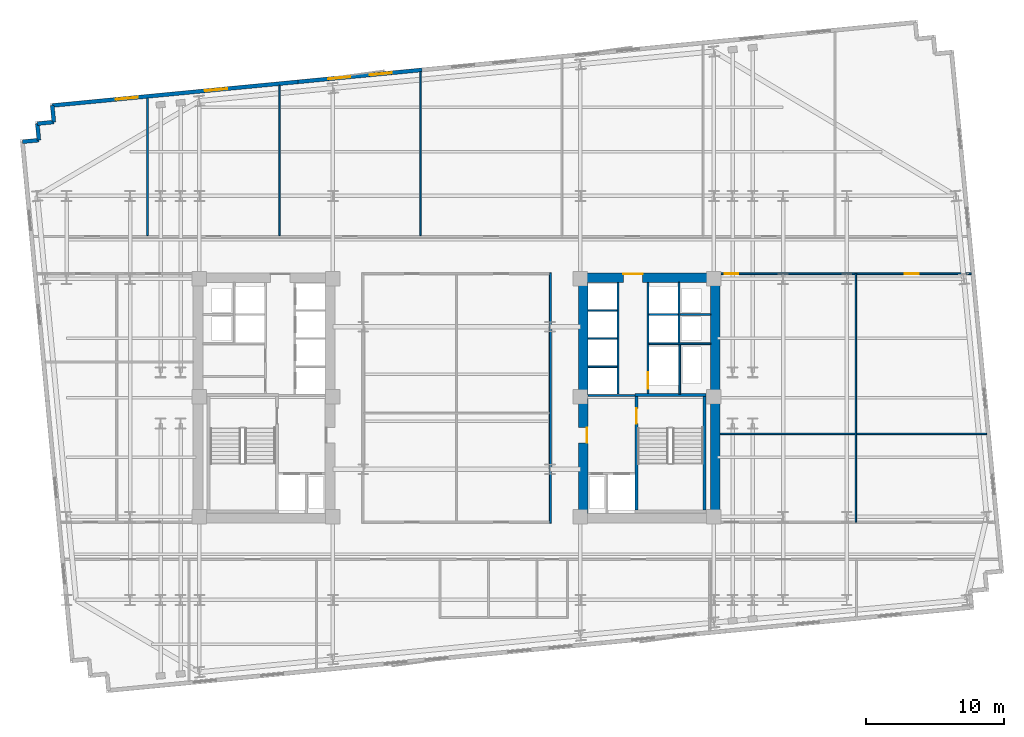
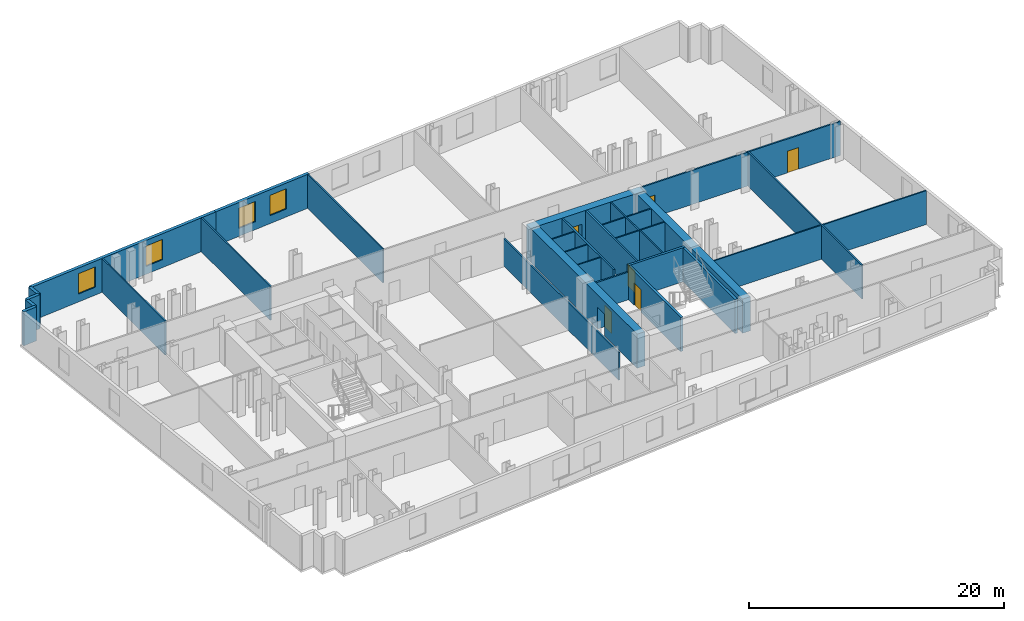
# One storey, part 7 of 11: 30 walls, 6 doors, 4 windows, 10 openings.
"""IFC4 building model written with IfcOpenShell, lengths in metres."""

from ifc_helpers import new_model, si_unit, direction, frame, frame_2d, origin, place, context, subcontext, project, spatial, rectangle, extrude, material, layer, layer_set, type_object, element, fill, save


model = new_model("IFC4")

# Units and contexts
model_context = context("Model", 3, precision=1e-05, world=origin(), true_north=direction((0.0, 1.0)))
body_context = subcontext(model_context, "Body", "Model", "MODEL_VIEW")
ifc_project = project(units=[si_unit("LENGTHUNIT", "METRE"), si_unit("AREAUNIT", "SQUARE_METRE"), si_unit("VOLUMEUNIT", "CUBIC_METRE"), si_unit("PLANEANGLEUNIT", "RADIAN"), si_unit("MASSUNIT", "GRAM", prefix="KILO")], contexts=[model_context])

# Site, building, storey
site_placement = place(None, origin())
site = spatial("IfcSite", under=ifc_project, at=site_placement, CompositionType="ELEMENT")
building_placement = place(site_placement, origin())
building = spatial("IfcBuilding", under=site, at=building_placement, Name="Velakula Bourse", CompositionType="ELEMENT")
storey_placement = place(building_placement, frame((0.0, 0.0, 105.25)))
storey = spatial("IfcBuildingStorey", under=building, at=storey_placement, Name="L28", CompositionType="ELEMENT", Elevation=105.25)

# Wall, opening, door
ifc_material_1 = material(Name="Concrete M50 (fck 50 MPa)", Category="concrete")
ifc_layer_1 = layer(ifc_material_1, 0.2099609375, Name="Concrete M50 (fck 50 MPa)", Category="concrete")
ifc_layer_set_1 = layer_set([ifc_layer_1], Name="Concrete M50 (fck 50 MPa)")
wall_type_1 = type_object("IfcWallType", Name="WL-CORE-210", PredefinedType="SHEAR", material=ifc_layer_set_1)
wall_1_placement = place(storey_placement, frame((12.9951171875, -8.10009765625, 0.0), z_axis=(0.0, 0.0, 1.0), x_axis=(0.0, 1.0, 0.0)))
wall_1 = element("IfcWall", 1, at=wall_1_placement, inside=storey, type_object=wall_type_1, Name="L28 Core E Stairwell Shear Wall IN", PredefinedType="SHEAR", context=body_context, shape_type="SweptSolid", body=[
    extrude(rectangle(XDim=8.2001953125, YDim=0.2099609375, at=frame_2d((4.10009765625, 0.0))), origin(), (0.0, 0.0, 1.0), 3.27001953125),
])
opening_1_placement = place(wall_1_placement, frame((6.25, 0.0, 0.0)))
opening_1 = element("IfcOpeningElement", 2, at=opening_1_placement, cuts=wall_1, Name="Opening D-STE1", PredefinedType="OPENING", context=body_context, shape_type="SweptSolid", body=[
    extrude(rectangle(XDim=1.10009765625, YDim=2.14990234375, at=frame_2d((0.550048828125, 1.074951171875))), frame((0.0, 0.114990234375, 0.0), z_axis=(0.0, -1.0, 0.0), x_axis=(1.0, 0.0, 0.0)), (0.0, 0.0, 1.0), 0.22998046875),
])
ifc_material_2 = material(Name="Galvanised painted hollow steel fire door", Category="steel")
door_type_1 = type_object("IfcDoorType", Name="DR-FD120-1100x2150", OperationType="NOTDEFINED", PredefinedType="DOOR", material=ifc_material_2)
door_1_placement = place(opening_1_placement, origin())
door_1 = element("IfcDoor", 3, at=door_1_placement, inside=storey, type_object=door_type_1, Name="L28 Stair ST-E1 Fire Door", OperationType="SINGLE_SWING_RIGHT", OverallHeight=2.14990234375, OverallWidth=1.10009765625, PredefinedType="DOOR", context=body_context, shape_type="SweptSolid", body=[
    extrude(rectangle(XDim=1.10009765625, YDim=2.14990234375, at=frame_2d((0.550048828125, 1.074951171875))), frame((0.0, 0.02490234375, 0.0), z_axis=(0.0, -1.0, 0.0), x_axis=(1.0, 0.0, 0.0)), (0.0, 0.0, 1.0), 0.050048828125),
])
fill(opening_1, door_1)

# Walls
wall_2_placement = place(storey_placement, frame((17.925048828125, -8.10009765625, 0.0), z_axis=(0.0, 0.0, 1.0), x_axis=(0.0, 1.0, 0.0)))
element("IfcWall", 4, at=wall_2_placement, inside=storey, type_object=wall_type_1, Name="L28 Core E Stairwell Shear Wall OUT", PredefinedType="SHEAR", context=body_context, shape_type="SweptSolid", body=[
    extrude(rectangle(XDim=8.2001953125, YDim=0.2099609375, at=frame_2d((4.10009765625, 0.0))), origin(), (0.0, 0.0, 1.0), 3.27001953125),
])
wall_3_placement = place(storey_placement, frame((18.030029296875, 0.205078125, 0.0), z_axis=(0.0, 0.0, 1.0), x_axis=(-1.0, 0.0, 0.0)))
element("IfcWall", 5, at=wall_3_placement, inside=storey, type_object=wall_type_1, Name="L28 Core E Stairwell Shear Wall N", PredefinedType="SHEAR", context=body_context, shape_type="SweptSolid", body=[
    extrude(rectangle(XDim=5.14013671875, YDim=0.2099609375, at=frame_2d((2.570068359375, 0.0))), origin(), (0.0, 0.0, 1.0), 3.27001953125),
])

# Wall, opening, door
ifc_material_3 = material(Name="Concrete M70 (fck 70 MPa)", Category="concrete")
ifc_layer_2 = layer(ifc_material_3, 0.699951171875, Name="Concrete M70 (fck 70 MPa)", Category="concrete")
ifc_layer_set_2 = layer_set([ifc_layer_2], Name="Concrete M70 (fck 70 MPa)")
wall_type_2 = type_object("IfcWallType", Name="WL-CORE-700", PredefinedType="SHEAR", material=ifc_layer_set_2)
wall_4_placement = place(storey_placement, frame((8.800048828125, 8.699951171875, 0.0), z_axis=(0.0, 0.0, 1.0), x_axis=(1.0, 0.0, 0.0)))
wall_4 = element("IfcWall", 6, at=wall_4_placement, inside=storey, type_object=wall_type_2, Name="L28 Core E Shear Wall N", PredefinedType="SHEAR", context=body_context, shape_type="SweptSolid", body=[
    extrude(rectangle(XDim=10.25, YDim=0.699951171875, at=frame_2d((5.125, 0.0))), origin(), (0.0, 0.0, 1.0), 3.27001953125),
])
opening_2_placement = place(wall_4_placement, frame((3.25, 0.0, 0.0)))
opening_2 = element("IfcOpeningElement", 7, at=opening_2_placement, cuts=wall_4, Name="Opening D-LLE", PredefinedType="OPENING", context=body_context, shape_type="SweptSolid", body=[
    extrude(rectangle(XDim=1.39990234375, YDim=2.050048828125, at=frame_2d((0.699951171875, 1.02490234375))), frame((0.0, 0.35986328125, 0.0), z_axis=(0.0, -1.0, 0.0), x_axis=(1.0, 0.0, 0.0)), (0.0, 0.0, 1.0), 0.719970703125),
])
ifc_material_4 = material(Name="Fire-rated hardwood flush architectural door", Category="wood")
door_type_2 = type_object("IfcDoorType", Name="DR-DBL-FD60-1400", OperationType="DOUBLE_DOOR_SINGLE_SWING", PredefinedType="DOOR", material=ifc_material_4)
door_2_placement = place(opening_2_placement, origin())
door_2 = element("IfcDoor", 8, at=door_2_placement, inside=storey, type_object=door_type_2, Name="L28 Core E Lift Lobby Corridor Double Door", OperationType="DOUBLE_DOOR_SINGLE_SWING", OverallHeight=2.050048828125, OverallWidth=1.39990234375, PredefinedType="DOOR", context=body_context, shape_type="SweptSolid", body=[
    extrude(rectangle(XDim=1.39990234375, YDim=2.050048828125, at=frame_2d((0.699951171875, 1.02490234375))), frame((0.0, 0.294921875, 0.0), z_axis=(0.0, -1.0, 0.0), x_axis=(1.0, 0.0, 0.0)), (0.0, 0.0, 1.0), 0.050048828125),
])
fill(opening_2, door_2)

wall_5_placement = place(storey_placement, frame((9.14990234375, -8.35009765625, 0.0), z_axis=(0.0, 0.0, 1.0), x_axis=(0.0, 1.0, 0.0)))
wall_5 = element("IfcWall", 9, at=wall_5_placement, inside=storey, type_object=wall_type_2, Name="L28 Core E Shear Wall W", PredefinedType="SHEAR", context=body_context, shape_type="SweptSolid", body=[
    extrude(rectangle(XDim=16.7001953125, YDim=0.699951171875, at=frame_2d((8.35009765625, 0.0))), origin(), (0.0, 0.0, 1.0), 3.27001953125),
])
opening_3_placement = place(wall_5_placement, frame((5.10009765625, 0.0, 0.0)))
opening_3 = element("IfcOpeningElement", 10, at=opening_3_placement, cuts=wall_5, Name="Opening D-FLE", PredefinedType="OPENING", context=body_context, shape_type="SweptSolid", body=[
    extrude(rectangle(XDim=1.10009765625, YDim=2.080078125, at=frame_2d((0.550048828125, 1.0400390625))), frame((0.0, 0.35986328125, 0.0), z_axis=(0.0, -1.0, 0.0), x_axis=(1.0, 0.0, 0.0)), (0.0, 0.0, 1.0), 0.719970703125),
])
door_type_3 = type_object("IfcDoorType", Name="DR-FD120-1100", OperationType="NOTDEFINED", PredefinedType="DOOR", material=ifc_material_2)
door_3_placement = place(opening_3_placement, origin())
door_3 = element("IfcDoor", 11, at=door_3_placement, inside=storey, type_object=door_type_3, Name="L28 Firefighting Lobby E Corridor Fire Door", OperationType="SINGLE_SWING_RIGHT", OverallHeight=2.080078125, OverallWidth=1.10009765625, PredefinedType="DOOR", context=body_context, shape_type="SweptSolid", body=[
    extrude(rectangle(XDim=1.10009765625, YDim=2.080078125, at=frame_2d((0.550048828125, 1.0400390625))), frame((0.0, -0.2548828125, 0.0), z_axis=(0.0, -1.0, 0.0), x_axis=(1.0, 0.0, 0.0)), (0.0, 0.0, 1.0), 0.050048828125),
])
fill(opening_3, door_3)

# Wall
wall_6_placement = place(storey_placement, frame((18.699951171875, -8.35009765625, 0.0), z_axis=(0.0, 0.0, 1.0), x_axis=(0.0, 1.0, 0.0)))
element("IfcWall", 12, at=wall_6_placement, inside=storey, type_object=wall_type_2, Name="L28 Core E Shear Wall E", PredefinedType="SHEAR", context=body_context, shape_type="SweptSolid", body=[
    extrude(rectangle(XDim=16.7001953125, YDim=0.699951171875, at=frame_2d((8.35009765625, 0.0))), origin(), (0.0, 0.0, 1.0), 3.27001953125),
])

# Wall, openings, windows
ifc_material_5 = material(Name="Red kilned clay facing brick masonry", Category="masonry")
ifc_layer_3 = layer(ifc_material_5, 0.280029296875, Name="Red kilned clay facing brick masonry", Category="masonry")
ifc_layer_set_3 = layer_set([ifc_layer_3], Name="Red kilned clay facing brick masonry")
wall_type_3 = type_object("IfcWallType", Name="WL-EXT-BRK-280", PredefinedType="STANDARD", material=ifc_layer_set_3)
wall_7_placement = place(storey_placement, frame((-29.2314453125, 21.138427734375, 0.0), z_axis=(0.0, 0.0, 1.0), x_axis=(0.995395780835, 0.095850088663, 0.0)))
wall_7 = element("IfcWall", 13, at=wall_7_placement, inside=storey, type_object=wall_type_3, Name="L28 N Brick Spandrel Wall B1", PredefinedType="STANDARD", context=body_context, shape_type="SweptSolid", body=[
    extrude(rectangle(XDim=17.83984375, YDim=0.280029296875, at=frame_2d((8.919921875, 0.0))), origin(), (0.0, 0.0, 1.0), 3.25),
])
opening_4_placement = place(wall_7_placement, frame((4.5966796875, 0.0, 0.760009765625)))
opening_4 = element("IfcOpeningElement", 14, at=opening_4_placement, cuts=wall_7, Name="Opening W-02", PredefinedType="OPENING", context=body_context, shape_type="SweptSolid", body=[
    extrude(rectangle(XDim=1.60009765625, YDim=1.949951171875, at=frame_2d((0.800048828125, 0.97509765625))), frame((0.0, 0.14990234375, 0.0), z_axis=(0.0, -1.0, 0.0), x_axis=(1.0, 0.0, 0.0)), (0.0, 0.0, 1.0), 0.300048828125),
])
opening_5_placement = place(wall_7_placement, frame((11.09326171875, 0.0, 0.760009765625)))
opening_5 = element("IfcOpeningElement", 15, at=opening_5_placement, cuts=wall_7, Name="Opening W-02", PredefinedType="OPENING", context=body_context, shape_type="SweptSolid", body=[
    extrude(rectangle(XDim=1.60009765625, YDim=1.949951171875, at=frame_2d((0.800048828125, 0.97509765625))), frame((0.0, 0.14990234375, 0.0), z_axis=(0.0, -1.0, 0.0), x_axis=(1.0, 0.0, 0.0)), (0.0, 0.0, 1.0), 0.300048828125),
])
ifc_material_6 = material(Name="Double-glazed solar-control Low-E glass", Category="glass")
window_type = type_object("IfcWindowType", Name="WIN-TWR-1600x2100", PartitioningType="SINGLE_PANEL", PredefinedType="WINDOW", material=ifc_material_6)
window_1_placement = place(opening_4_placement, origin())
window_1 = element("IfcWindow", 16, at=window_1_placement, inside=storey, type_object=window_type, Name="L28 Deep-Set Recessed Window 1", OverallHeight=1.949951171875, OverallWidth=1.60009765625, PartitioningType="SINGLE_PANEL", PredefinedType="WINDOW", context=body_context, shape_type="SweptSolid", body=[
    extrude(rectangle(XDim=1.60009765625, YDim=1.949951171875, at=frame_2d((0.800048828125, 0.97509765625))), frame((0.0, 0.030029296875, 0.0), z_axis=(0.0, -1.0, 0.0), x_axis=(1.0, 0.0, 0.0)), (0.0, 0.0, 1.0), 0.06005859375),
])
fill(opening_4, window_1)
window_2_placement = place(opening_5_placement, origin())
window_2 = element("IfcWindow", 17, at=window_2_placement, inside=storey, type_object=window_type, Name="L28 Deep-Set Recessed Window 2", OverallHeight=1.949951171875, OverallWidth=1.60009765625, PartitioningType="SINGLE_PANEL", PredefinedType="WINDOW", context=body_context, shape_type="SweptSolid", body=[
    extrude(rectangle(XDim=1.60009765625, YDim=1.949951171875, at=frame_2d((0.800048828125, 0.97509765625))), frame((0.0, 0.030029296875, 0.0), z_axis=(0.0, -1.0, 0.0), x_axis=(1.0, 0.0, 0.0)), (0.0, 0.0, 1.0), 0.06005859375),
])
fill(opening_5, window_2)

wall_8_placement = place(storey_placement, frame((-11.4736328125, 22.848388671875, 0.0), z_axis=(0.0, 0.0, 1.0), x_axis=(0.995396794462, 0.09583956164, 0.0)))
wall_8 = element("IfcWall", 18, at=wall_8_placement, inside=storey, type_object=wall_type_3, Name="L28 N Brick Spandrel Wall B2", PredefinedType="STANDARD", context=body_context, shape_type="SweptSolid", body=[
    extrude(rectangle(XDim=9.0, YDim=0.280029296875, at=frame_2d((4.5, 0.0))), origin(), (0.0, 0.0, 1.0), 3.25),
])
opening_6_placement = place(wall_8_placement, frame((2.199951171875, 0.0, 0.760009765625)))
opening_6 = element("IfcOpeningElement", 19, at=opening_6_placement, cuts=wall_8, Name="Opening W-02", PredefinedType="OPENING", context=body_context, shape_type="SweptSolid", body=[
    extrude(rectangle(XDim=1.60009765625, YDim=1.949951171875, at=frame_2d((0.800048828125, 0.97509765625))), frame((0.0, 0.14990234375, 0.0), z_axis=(0.0, -1.0, 0.0), x_axis=(1.0, 0.0, 0.0)), (0.0, 0.0, 1.0), 0.300048828125),
])
opening_7_placement = place(wall_8_placement, frame((5.199951171875, 0.0, 0.760009765625)))
opening_7 = element("IfcOpeningElement", 20, at=opening_7_placement, cuts=wall_8, Name="Opening W-02", PredefinedType="OPENING", context=body_context, shape_type="SweptSolid", body=[
    extrude(rectangle(XDim=1.60009765625, YDim=1.949951171875, at=frame_2d((0.800048828125, 0.97509765625))), frame((0.0, 0.14990234375, 0.0), z_axis=(0.0, -1.0, 0.0), x_axis=(1.0, 0.0, 0.0)), (0.0, 0.0, 1.0), 0.300048828125),
])
window_3_placement = place(opening_6_placement, origin())
window_3 = element("IfcWindow", 21, at=window_3_placement, inside=storey, type_object=window_type, Name="L28 Deep-Set Recessed Window 1", OverallHeight=1.949951171875, OverallWidth=1.60009765625, PartitioningType="SINGLE_PANEL", PredefinedType="WINDOW", context=body_context, shape_type="SweptSolid", body=[
    extrude(rectangle(XDim=1.60009765625, YDim=1.949951171875, at=frame_2d((0.800048828125, 0.97509765625))), frame((0.0, 0.030029296875, 0.0), z_axis=(0.0, -1.0, 0.0), x_axis=(1.0, 0.0, 0.0)), (0.0, 0.0, 1.0), 0.06005859375),
])
fill(opening_6, window_3)
window_4_placement = place(opening_7_placement, origin())
window_4 = element("IfcWindow", 22, at=window_4_placement, inside=storey, type_object=window_type, Name="L28 Deep-Set Recessed Window 2", OverallHeight=1.949951171875, OverallWidth=1.60009765625, PartitioningType="SINGLE_PANEL", PredefinedType="WINDOW", context=body_context, shape_type="SweptSolid", body=[
    extrude(rectangle(XDim=1.60009765625, YDim=1.949951171875, at=frame_2d((0.800048828125, 0.97509765625))), frame((0.0, 0.030029296875, 0.0), z_axis=(0.0, -1.0, 0.0), x_axis=(1.0, 0.0, 0.0)), (0.0, 0.0, 1.0), 0.06005859375),
])
fill(opening_7, window_4)

# Walls
for number, where, z_axis, x_axis, name in (
    (23, (-29.2314453125, 21.138427734375, 0.0), (0.0, 0.0, 1.0), (0.095817067274, -0.995398960025, 0.0), "L28 Serrated Corner Brick Wall NW-1"),
    (24, (-29.116455078125, 19.94384765625, 0.0), (0.0, 0.0, 1.0), (-0.995398960025, -0.095817067274, 0.0), "L28 Serrated Corner Brick Wall NW-2"),
):
    element("IfcWall", number, at=place(storey_placement, frame(where, z_axis=z_axis, x_axis=x_axis)), inside=storey, type_object=wall_type_3, Name=name, PredefinedType="STANDARD", context=body_context, shape_type="SweptSolid", body=[
        extrude(rectangle(XDim=1.2001953125, YDim=0.280029296875, at=frame_2d((0.60009765625, 0.0))), origin(), (0.0, 0.0, 1.0), 3.25),
    ])
for number, where, z_axis, x_axis, name in (
    (25, (-30.31103515625, 19.828857421875, 0.0), (0.0, 0.0, 1.0), (0.095836473879, -0.995397091755, 0.0), "L28 Serrated Corner Brick Wall NW-3"),
    (26, (-30.196044921875, 18.634521484375, 0.0), (0.0, 0.0, 1.0), (-0.995397091755, -0.095836473879, 0.0), "L28 Serrated Corner Brick Wall NW-4"),
):
    element("IfcWall", number, at=place(storey_placement, frame(where, z_axis=z_axis, x_axis=x_axis)), inside=storey, type_object=wall_type_3, Name=name, PredefinedType="STANDARD", context=body_context, shape_type="SweptSolid", body=[
        extrude(rectangle(XDim=1.199951171875, YDim=0.280029296875, at=frame_2d((0.60009765625, 0.0))), origin(), (0.0, 0.0, 1.0), 3.25),
    ])
ifc_material_7 = material(Name="Fire-rated double-layer gypsum drywall partition", Category="gypsum")
ifc_layer_4 = layer(ifc_material_7, 0.1201171875, Name="Fire-rated double-layer gypsum drywall partition", Category="gypsum")
ifc_layer_set_4 = layer_set([ifc_layer_4], Name="Fire-rated double-layer gypsum drywall partition")
wall_type_4 = type_object("IfcWallType", Name="WL-PART-120", PredefinedType="STANDARD", material=ifc_layer_set_4)
for number, where, z_axis, x_axis, name in (
    (27, (9.5, 2.2548828125, 0.0), (0.0, 0.0, 1.0), (1.0, 0.0, 0.0), "L28 Interior Partition WL-CRE-L28-BDIV-0"),
    (28, (9.5, 4.284912109375, 0.0), (0.0, 0.0, 1.0), (1.0, 0.0, 0.0), "L28 Interior Partition WL-CRE-L28-BDIV-1"),
    (29, (9.5, 6.31494140625, 0.0), (0.0, 0.0, 1.0), (1.0, 0.0, 0.0), "L28 Interior Partition WL-CRE-L28-BDIV-2"),
):
    element("IfcWall", number, at=place(storey_placement, frame(where, z_axis=z_axis, x_axis=x_axis)), inside=storey, type_object=wall_type_4, Name=name, PredefinedType="STANDARD", context=body_context, shape_type="SweptSolid", body=[
        extrude(rectangle(XDim=2.10009765625, YDim=0.110107421875, at=frame_2d((1.050048828125, 0.0))), origin(), (0.0, 0.0, 1.0), 3.25),
    ])
wall_9_placement = place(storey_placement, frame((13.89990234375, 3.919921875, 0.0), z_axis=(0.0, 0.0, 1.0), x_axis=(1.0, 0.0, 0.0)))
element("IfcWall", 30, at=wall_9_placement, inside=storey, type_object=wall_type_4, Name="L28 Interior Partition WL-CRE-L28-HI-S", PredefinedType="STANDARD", context=body_context, shape_type="SweptSolid", body=[
    extrude(rectangle(XDim=4.4501953125, YDim=0.1201171875, at=frame_2d((2.22509765625, 0.0))), origin(), (0.0, 0.0, 1.0), 3.25),
])
wall_10_placement = place(storey_placement, frame((16.14990234375, 6.030029296875, 0.0), z_axis=(0.0, 0.0, 1.0), x_axis=(1.0, 0.0, 0.0)))
element("IfcWall", 31, at=wall_10_placement, inside=storey, type_object=wall_type_4, Name="L28 Interior Partition WL-CRE-L28-RIS-MID", PredefinedType="STANDARD", context=body_context, shape_type="SweptSolid", body=[
    extrude(rectangle(XDim=2.2001953125, YDim=0.1201171875, at=frame_2d((1.10009765625, 0.0))), origin(), (0.0, 0.0, 1.0), 3.25),
])
wall_11_placement = place(storey_placement, frame((16.074951171875, 3.97998046875, 0.0), z_axis=(0.0, 0.0, 1.0), x_axis=(0.0, 1.0, 0.0)))
element("IfcWall", 32, at=wall_11_placement, inside=storey, type_object=wall_type_4, Name="L28 Interior Partition WL-CRE-L28-RIS-F", PredefinedType="STANDARD", context=body_context, shape_type="SweptSolid", body=[
    extrude(rectangle(XDim=4.3701171875, YDim=0.1201171875, at=frame_2d((2.18505859375, 0.0))), origin(), (0.0, 0.0, 1.0), 3.25),
])
wall_12_placement = place(storey_placement, frame((13.89990234375, 6.030029296875, 0.0), z_axis=(0.0, 0.0, 1.0), x_axis=(1.0, 0.0, 0.0)))
element("IfcWall", 33, at=wall_12_placement, inside=storey, type_object=wall_type_4, Name="L28 Interior Partition WL-CRE-L28-HI-DIV", PredefinedType="STANDARD", context=body_context, shape_type="SweptSolid", body=[
    extrude(rectangle(XDim=2.10009765625, YDim=0.1201171875, at=frame_2d((1.050048828125, 0.0))), origin(), (0.0, 0.0, 1.0), 3.25),
])
wall_13_placement = place(storey_placement, frame((16.125, 0.27001953125, 0.0), z_axis=(0.0, 0.0, 1.0), x_axis=(0.0, 1.0, 0.0)))
element("IfcWall", 34, at=wall_13_placement, inside=storey, type_object=wall_type_4, Name="L28 Interior Partition WL-CRE-L28-SVL-E", PredefinedType="STANDARD", context=body_context, shape_type="SweptSolid", body=[
    extrude(rectangle(XDim=3.590087890625, YDim=0.1201171875, at=frame_2d((1.794921875, 0.0))), origin(), (0.0, 0.0, 1.0), 3.25),
])
wall_14_placement = place(storey_placement, frame((-22.344970703125, 11.739990234375, 0.0), z_axis=(0.0, 0.0, 1.0), x_axis=(0.0, 1.0, 0.0)))
element("IfcWall", 35, at=wall_14_placement, inside=storey, type_object=wall_type_4, Name="L28 Interior Partition WL-INT-L28-N-D1", PredefinedType="STANDARD", context=body_context, shape_type="SweptSolid", body=[
    extrude(rectangle(XDim=9.94091796875, YDim=0.1201171875, at=frame_2d((4.970458984375, 0.0))), origin(), (0.0, 0.0, 1.0), 3.25),
])
wall_15_placement = place(storey_placement, frame((-12.81591796875, 11.739990234375, 0.0), z_axis=(0.0, 0.0, 1.0), x_axis=(0.0, 1.0, 0.0)))
element("IfcWall", 36, at=wall_15_placement, inside=storey, type_object=wall_type_4, Name="L28 Interior Partition WL-INT-L28-N-D2", PredefinedType="STANDARD", context=body_context, shape_type="SweptSolid", body=[
    extrude(rectangle(XDim=10.8583984375, YDim=0.1201171875, at=frame_2d((5.42919921875, 0.0))), origin(), (0.0, 0.0, 1.0), 3.25),
])
wall_16_placement = place(storey_placement, frame((-2.60595703125, 11.739990234375, 0.0), z_axis=(0.0, 0.0, 1.0), x_axis=(0.0, 1.0, 0.0)))
element("IfcWall", 37, at=wall_16_placement, inside=storey, type_object=wall_type_4, Name="L28 Interior Partition WL-INT-L28-N-D3", PredefinedType="STANDARD", context=body_context, shape_type="SweptSolid", body=[
    extrude(rectangle(XDim=11.841552734375, YDim=0.1201171875, at=frame_2d((5.9208984375, 0.0))), origin(), (0.0, 0.0, 1.0), 3.25),
])
wall_17_placement = place(storey_placement, frame((19.050048828125, -2.60009765625, 0.0), z_axis=(0.0, 0.0, 1.0), x_axis=(1.0, 0.0, 0.0)))
element("IfcWall", 38, at=wall_17_placement, inside=storey, type_object=wall_type_4, Name="L28 Interior Partition WL-INT-L28-E-H", PredefinedType="STANDARD", context=body_context, shape_type="SweptSolid", body=[
    extrude(rectangle(XDim=19.2646484375, YDim=0.1201171875, at=frame_2d((9.63232421875, 0.0))), origin(), (0.0, 0.0, 1.0), 3.25),
])
wall_18_placement = place(storey_placement, frame((28.85888671875, -8.97998046875, 0.0), z_axis=(0.0, 0.0, 1.0), x_axis=(0.0, 1.0, 0.0)))
element("IfcWall", 39, at=wall_18_placement, inside=storey, type_object=wall_type_4, Name="L28 Interior Partition WL-INT-L28-E-V1", PredefinedType="STANDARD", context=body_context, shape_type="SweptSolid", body=[
    extrude(rectangle(XDim=17.9599609375, YDim=0.1201171875, at=frame_2d((8.97998046875, 0.0))), origin(), (0.0, 0.0, 1.0), 3.25),
])

# Wall, openings, doors
ifc_layer_5 = layer(ifc_material_7, 0.139892578125, Name="Fire-rated double-layer gypsum drywall partition", Category="gypsum")
ifc_layer_set_5 = layer_set([ifc_layer_5], Name="Fire-rated double-layer gypsum drywall partition")
wall_type_5 = type_object("IfcWallType", Name="WL-PART-140", PredefinedType="STANDARD", material=ifc_layer_set_5)
wall_19_placement = place(storey_placement, frame((19.050048828125, 8.97998046875, 0.0), z_axis=(0.0, 0.0, 1.0), x_axis=(1.0, 0.0, 0.0)))
wall_19 = element("IfcWall", 40, at=wall_19_placement, inside=storey, type_object=wall_type_5, Name="L28 Interior Partition WL-INT-L28-E-NC", PredefinedType="STANDARD", context=body_context, shape_type="SweptSolid", body=[
    extrude(rectangle(XDim=18.149658203125, YDim=0.139892578125, at=frame_2d((9.07470703125, 0.0))), origin(), (0.0, 0.0, 1.0), 3.25),
])
opening_8_placement = place(wall_19_placement, frame((0.320068359375, 0.0, 0.0)))
opening_8 = element("IfcOpeningElement", 41, at=opening_8_placement, cuts=wall_19, Name="Opening D-OF1", PredefinedType="OPENING", context=body_context, shape_type="SweptSolid", body=[
    extrude(rectangle(XDim=1.0, YDim=2.080078125, at=frame_2d((0.5, 1.0400390625))), frame((0.0, 0.079833984375, 0.0), z_axis=(0.0, -1.0, 0.0), x_axis=(1.0, 0.0, 0.0)), (0.0, 0.0, 1.0), 0.159912109375),
])
opening_9_placement = place(wall_19_placement, frame((13.349365234375, 0.0, 0.0)))
opening_9 = element("IfcOpeningElement", 42, at=opening_9_placement, cuts=wall_19, Name="Opening D-OF1", PredefinedType="OPENING", context=body_context, shape_type="SweptSolid", body=[
    extrude(rectangle(XDim=1.0, YDim=2.080078125, at=frame_2d((0.5, 1.0400390625))), frame((0.0, 0.079833984375, 0.0), z_axis=(0.0, -1.0, 0.0), x_axis=(1.0, 0.0, 0.0)), (0.0, 0.0, 1.0), 0.159912109375),
])
door_type_4 = type_object("IfcDoorType", Name="DR-OFF-1000", OperationType="NOTDEFINED", PredefinedType="DOOR", material=ifc_material_4)
door_4_placement = place(opening_8_placement, origin())
door_4 = element("IfcDoor", 43, at=door_4_placement, inside=storey, type_object=door_type_4, Name="L28 Margin Control Office Door", OperationType="SINGLE_SWING_LEFT", OverallHeight=2.080078125, OverallWidth=1.0, PredefinedType="DOOR", context=body_context, shape_type="SweptSolid", body=[
    extrude(rectangle(XDim=1.0, YDim=2.080078125, at=frame_2d((0.5, 1.0400390625))), frame((0.0, 0.02490234375, 0.0), z_axis=(0.0, -1.0, 0.0), x_axis=(1.0, 0.0, 0.0)), (0.0, 0.0, 1.0), 0.050048828125),
])
fill(opening_8, door_4)
door_5_placement = place(opening_9_placement, origin())
door_5 = element("IfcDoor", 44, at=door_5_placement, inside=storey, type_object=door_type_4, Name="L28 Listing Committee Chamber Door", OperationType="SINGLE_SWING_RIGHT", OverallHeight=2.080078125, OverallWidth=1.0, PredefinedType="DOOR", context=body_context, shape_type="SweptSolid", body=[
    extrude(rectangle(XDim=1.0, YDim=2.080078125, at=frame_2d((0.5, 1.0400390625))), frame((0.0, 0.02490234375, 0.0), z_axis=(0.0, -1.0, 0.0), x_axis=(1.0, 0.0, 0.0)), (0.0, 0.0, 1.0), 0.050048828125),
])
fill(opening_9, door_5)

# Walls
wall_20_placement = place(storey_placement, frame((6.780029296875, -9.050048828125, 0.0), z_axis=(0.0, 0.0, 1.0), x_axis=(0.0, 1.0, 0.0)))
element("IfcWall", 45, at=wall_20_placement, inside=storey, type_object=wall_type_5, Name="L28 Interior Partition WL-INT-L28-MID-E", PredefinedType="STANDARD", context=body_context, shape_type="SweptSolid", body=[
    extrude(rectangle(XDim=18.10009765625, YDim=0.139892578125, at=frame_2d((9.050048828125, 0.0))), origin(), (0.0, 0.0, 1.0), 2.64501953125),
])
ifc_material_8 = material(Name="Autoclaved aerated concrete blockwork masonry", Category="masonry")
ifc_layer_6 = layer(ifc_material_8, 0.14990234375, Name="Autoclaved aerated concrete blockwork masonry", Category="masonry")
ifc_layer_set_6 = layer_set([ifc_layer_6], Name="Autoclaved aerated concrete blockwork masonry")
wall_type_6 = type_object("IfcWallType", Name="WL-SHAFT-150", PredefinedType="STANDARD", material=ifc_layer_set_6)
wall_21_placement = place(storey_placement, frame((9.5, 0.18994140625, 0.0), z_axis=(0.0, 0.0, 1.0), x_axis=(1.0, 0.0, 0.0)))
element("IfcWall", 46, at=wall_21_placement, inside=storey, type_object=wall_type_6, Name="L28 Interior Partition WL-CRE-L28-FF-TOP", PredefinedType="STANDARD", context=body_context, shape_type="SweptSolid", body=[
    extrude(rectangle(XDim=3.389892578125, YDim=0.14990234375, at=frame_2d((1.69482421875, 0.0))), origin(), (0.0, 0.0, 1.0), 2.64501953125),
])
wall_22_placement = place(storey_placement, frame((11.675048828125, 0.27001953125, 0.0), z_axis=(0.0, 0.0, 1.0), x_axis=(0.0, 1.0, 0.0)))
element("IfcWall", 47, at=wall_22_placement, inside=storey, type_object=wall_type_6, Name="L28 Interior Partition WL-CRE-L28-BANK-F", PredefinedType="STANDARD", context=body_context, shape_type="SweptSolid", body=[
    extrude(rectangle(XDim=8.080078125, YDim=0.14990234375, at=frame_2d((4.0400390625, 0.0))), origin(), (0.0, 0.0, 1.0), 3.25),
])

# Wall, opening, door
wall_23_placement = place(storey_placement, frame((13.824951171875, 0.27001953125, 0.0), z_axis=(0.0, 0.0, 1.0), x_axis=(0.0, 1.0, 0.0)))
wall_23 = element("IfcWall", 48, at=wall_23_placement, inside=storey, type_object=wall_type_6, Name="L28 Interior Partition WL-CRE-L28-OUT-F", PredefinedType="STANDARD", context=body_context, shape_type="SweptSolid", body=[
    extrude(rectangle(XDim=8.080078125, YDim=0.14990234375, at=frame_2d((4.0400390625, 0.0))), origin(), (0.0, 0.0, 1.0), 3.25),
])
opening_10_placement = place(wall_23_placement, frame((0.3798828125, 0.0, 0.0)))
opening_10 = element("IfcOpeningElement", 49, at=opening_10_placement, cuts=wall_23, Name="Opening LD-SVL1", PredefinedType="OPENING", context=body_context, shape_type="SweptSolid", body=[
    extrude(rectangle(XDim=1.199951171875, YDim=2.10009765625, at=frame_2d((0.60009765625, 1.050048828125))), frame((0.0, 0.0849609375, 0.0), z_axis=(0.0, -1.0, 0.0), x_axis=(1.0, 0.0, 0.0)), (0.0, 0.0, 1.0), 0.169921875),
])
ifc_material_9 = material(Name="Brushed grade 316 stainless steel", Category="steel")
door_type_5 = type_object("IfcDoorType", Name="DR-SLIDE-LD-1200", OperationType="DOUBLE_DOOR_SLIDING", PredefinedType="DOOR", material=ifc_material_9)
door_6_placement = place(opening_10_placement, origin())
door_6 = element("IfcDoor", 50, at=door_6_placement, inside=storey, type_object=door_type_5, Name="L28 Service Lift SVL-1 Sliding Landing Door", OperationType="DOUBLE_DOOR_SLIDING", OverallHeight=2.10009765625, OverallWidth=1.199951171875, PredefinedType="DOOR", context=body_context, shape_type="SweptSolid", body=[
    extrude(rectangle(XDim=1.199951171875, YDim=2.10009765625, at=frame_2d((0.60009765625, 1.050048828125))), frame((0.0, 0.02490234375, 0.0), z_axis=(0.0, -1.0, 0.0), x_axis=(1.0, 0.0, 0.0)), (0.0, 0.0, 1.0), 0.050048828125),
])
fill(opening_10, door_6)

save(model, "model.ifc")
